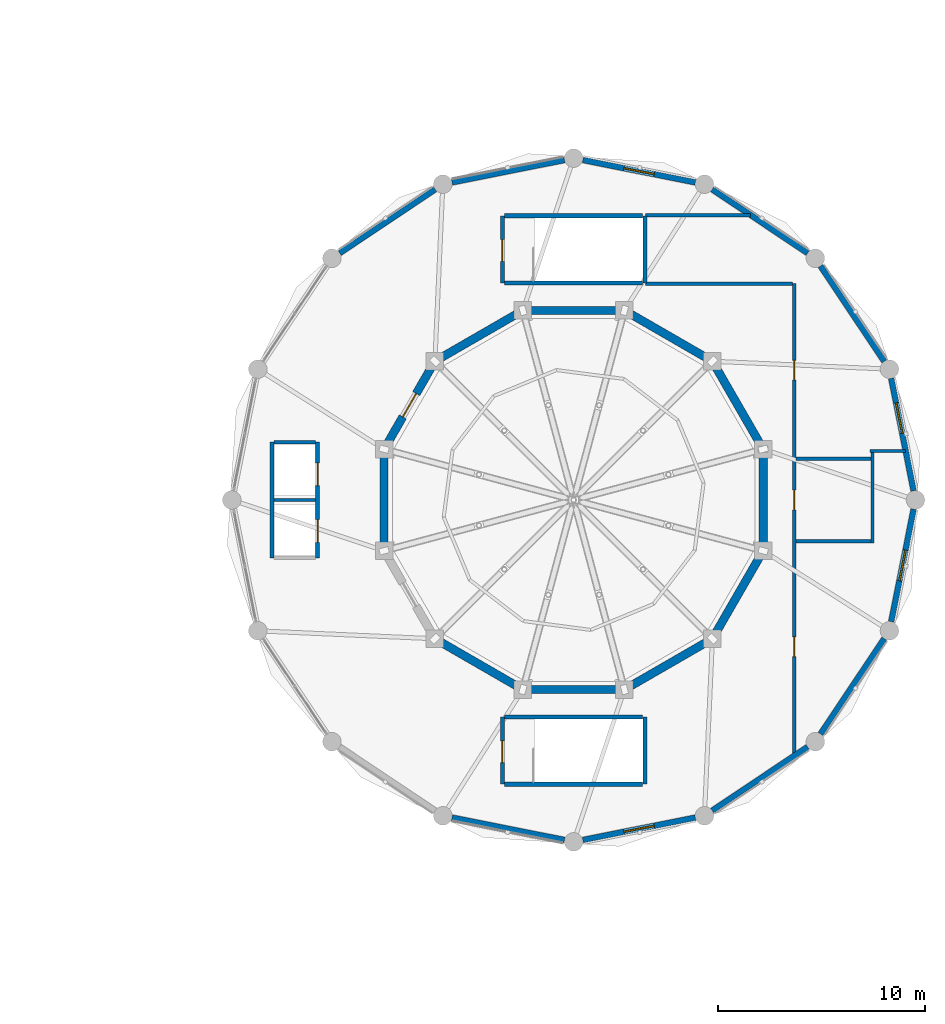
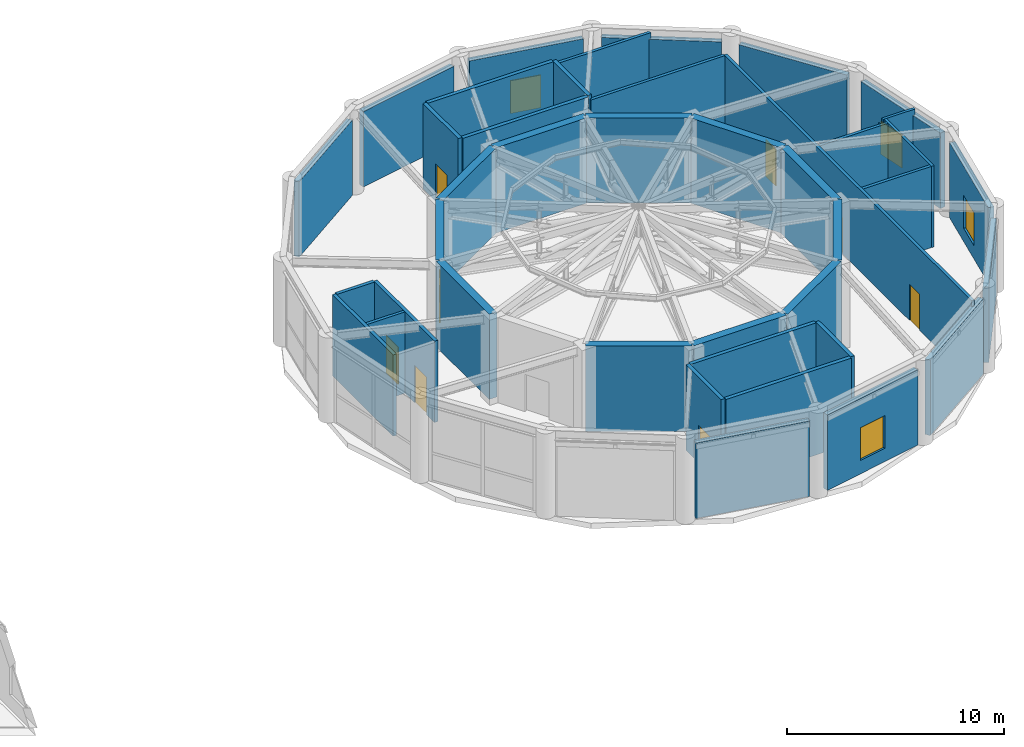
# One storey, part 18 of 26: 41 walls, 8 doors, 4 windows, 12 openings.
"""IFC4 building model written with IfcOpenShell, lengths in metres."""

from ifc_helpers import new_model, si_unit, derived_unit, direction, frame, frame_2d, origin, place, context, subcontext, project, spatial, rectangle, extrude, material, layer, layer_set, type_object, element, fill, save


model = new_model("IFC4")

# Units and contexts
model_context = context("Model", 3, precision=1e-05, world=origin(), true_north=direction((0.0, 1.0)))
body_context = subcontext(model_context, "Body", "Model", "MODEL_VIEW")
ifc_project = project(units=[si_unit("LENGTHUNIT", "METRE"), si_unit("AREAUNIT", "SQUARE_METRE"), si_unit("VOLUMEUNIT", "CUBIC_METRE"), si_unit("PLANEANGLEUNIT", "RADIAN"), si_unit("MASSUNIT", "GRAM", prefix="KILO"), derived_unit("THERMALTRANSMITTANCEUNIT", [(si_unit("POWERUNIT", "WATT"), 1), (si_unit("LENGTHUNIT", "METRE"), -2), (si_unit("THERMODYNAMICTEMPERATUREUNIT", "KELVIN"), -1)])], contexts=[model_context])

# Site, building, storey
site_placement = place(None, origin())
site = spatial("IfcSite", under=ifc_project, at=site_placement, CompositionType="ELEMENT")
building_placement = place(site_placement, origin())
building = spatial("IfcBuilding", under=site, at=building_placement, Name="Korsvarv Bourse and Concert Hall", CompositionType="ELEMENT")
storey_placement = place(building_placement, frame((0.0, 0.0, 19.199951171875)))
storey = spatial("IfcBuildingStorey", under=building, at=storey_placement, Name="L04", CompositionType="ELEMENT", Elevation=19.199951171875)

# Wall, opening, door
ifc_material_1 = material(Name="Concrete C50/60", Category="concrete")
ifc_layer_1 = layer(ifc_material_1, 0.3798828125)
ifc_layer_set_1 = layer_set([ifc_layer_1], Name="Concrete C50/60")
wall_type_1 = type_object("IfcWallType", Name="WL-CORE-380", PredefinedType="SHEAR", material=ifc_layer_set_1)
wall_1_placement = place(storey_placement, frame((103.35009765625, 46.5, 0.0), z_axis=(0.0, 0.0, 1.0), x_axis=(0.0, 1.0, 0.0)))
wall_1 = element("IfcWall", 1, at=wall_1_placement, inside=storey, type_object=wall_type_1, Name="L04 stair shaft structural wall W-L04-STCH1-W", PredefinedType="SHEAR", context=body_context, shape_type="SweptSolid", body=[
    extrude(rectangle(XDim=3.260009765625, YDim=0.199951171875, at=frame_2d((1.6298828125, 0.0))), origin(), (0.0, 0.0, 1.0), 4.800048828125),
])
opening_1_placement = place(wall_1_placement, frame((1.050048828125, 0.0, 0.0)))
opening_1 = element("IfcOpeningElement", 2, at=opening_1_placement, cuts=wall_1, Name="Opening D-01", PredefinedType="OPENING", context=body_context, shape_type="SweptSolid", body=[
    extrude(rectangle(XDim=1.050048828125, YDim=2.10009765625, at=frame_2d((0.52490234375, 1.050048828125))), frame((0.0, 0.10986328125, 0.0), z_axis=(0.0, -1.0, 0.0), x_axis=(1.0, 0.0, 0.0)), (0.0, 0.0, 1.0), 0.219970703125),
])
ifc_material_2 = material(Name="Steel S355 fire door", Category="steel")
door_type_1 = type_object("IfcDoorType", Name="DR-FD60", OperationType="NOTDEFINED", PredefinedType="DOOR", material=ifc_material_2)
door_1_placement = place(opening_1_placement, origin())
door_1 = element("IfcDoor", 3, at=door_1_placement, inside=storey, type_object=door_type_1, Name="L04 interior door DR-L04-STCH1", OperationType="SINGLE_SWING_RIGHT", OverallHeight=2.10009765625, OverallWidth=1.050048828125, PredefinedType="DOOR", context=body_context, shape_type="SweptSolid", body=[
    extrude(rectangle(XDim=1.050048828125, YDim=2.10009765625, at=frame_2d((0.52490234375, 1.050048828125))), frame((0.0, 0.02490234375, 0.0), z_axis=(0.0, -1.0, 0.0), x_axis=(1.0, 0.0, 0.0)), (0.0, 0.0, 1.0), 0.050048828125),
])
fill(opening_1, door_1)

# Walls
for number, where, z_axis, x_axis, name in (
    (4, (103.4599609375, 49.760009765625, 0.0), (0.0, 0.0, 1.0), (1.0, 0.0, 0.0), "L04 stair shaft structural wall W-L04-STCH1-N"),
    (5, (103.4599609375, 46.5, 0.0), (0.0, 0.0, 1.0), (1.0, 0.0, 0.0), "L04 stair shaft structural wall W-L04-STCH1-S"),
):
    element("IfcWall", number, at=place(storey_placement, frame(where, z_axis=z_axis, x_axis=x_axis)), inside=storey, type_object=wall_type_1, Name=name, PredefinedType="SHEAR", context=body_context, shape_type="SweptSolid", body=[
        extrude(rectangle(XDim=6.679931640625, YDim=0.199951171875, at=frame_2d((3.33984375, 0.0))), origin(), (0.0, 0.0, 1.0), 4.800048828125),
    ])
wall_2_placement = place(storey_placement, frame((110.25, 46.5, 0.0), z_axis=(0.0, 0.0, 1.0), x_axis=(0.0, 1.0, 0.0)))
element("IfcWall", 6, at=wall_2_placement, inside=storey, type_object=wall_type_1, Name="L04 stair shaft structural wall W-L04-STCH1-E", PredefinedType="SHEAR", context=body_context, shape_type="SweptSolid", body=[
    extrude(rectangle(XDim=3.260009765625, YDim=0.199951171875, at=frame_2d((1.6298828125, 0.0))), origin(), (0.0, 0.0, 1.0), 4.800048828125),
])

# Wall, opening, door
wall_3_placement = place(storey_placement, frame((103.35009765625, 22.239990234375, 0.0), z_axis=(0.0, 0.0, 1.0), x_axis=(0.0, 1.0, 0.0)))
wall_3 = element("IfcWall", 7, at=wall_3_placement, inside=storey, type_object=wall_type_1, Name="L04 stair shaft structural wall W-L04-STCH2-W", PredefinedType="SHEAR", context=body_context, shape_type="SweptSolid", body=[
    extrude(rectangle(XDim=3.260009765625, YDim=0.199951171875, at=frame_2d((1.6298828125, 0.0))), origin(), (0.0, 0.0, 1.0), 4.800048828125),
])
opening_2_placement = place(wall_3_placement, frame((1.050048828125, 0.0, 0.0)))
opening_2 = element("IfcOpeningElement", 8, at=opening_2_placement, cuts=wall_3, Name="Opening D-01", PredefinedType="OPENING", context=body_context, shape_type="SweptSolid", body=[
    extrude(rectangle(XDim=1.050048828125, YDim=2.10009765625, at=frame_2d((0.52490234375, 1.050048828125))), frame((0.0, 0.10986328125, 0.0), z_axis=(0.0, -1.0, 0.0), x_axis=(1.0, 0.0, 0.0)), (0.0, 0.0, 1.0), 0.219970703125),
])
door_2_placement = place(opening_2_placement, origin())
door_2 = element("IfcDoor", 9, at=door_2_placement, inside=storey, type_object=door_type_1, Name="L04 interior door DR-L04-STCH2", OperationType="SINGLE_SWING_LEFT", OverallHeight=2.10009765625, OverallWidth=1.050048828125, PredefinedType="DOOR", context=body_context, shape_type="SweptSolid", body=[
    extrude(rectangle(XDim=1.050048828125, YDim=2.10009765625, at=frame_2d((0.52490234375, 1.050048828125))), frame((0.0, 0.02490234375, 0.0), z_axis=(0.0, -1.0, 0.0), x_axis=(1.0, 0.0, 0.0)), (0.0, 0.0, 1.0), 0.050048828125),
])
fill(opening_2, door_2)

# Walls
for number, where, z_axis, x_axis, name in (
    (10, (103.4599609375, 25.5, 0.0), (0.0, 0.0, 1.0), (1.0, 0.0, 0.0), "L04 stair shaft structural wall W-L04-STCH2-N"),
    (11, (103.4599609375, 22.239990234375, 0.0), (0.0, 0.0, 1.0), (1.0, 0.0, 0.0), "L04 stair shaft structural wall W-L04-STCH2-S"),
):
    element("IfcWall", number, at=place(storey_placement, frame(where, z_axis=z_axis, x_axis=x_axis)), inside=storey, type_object=wall_type_1, Name=name, PredefinedType="SHEAR", context=body_context, shape_type="SweptSolid", body=[
        extrude(rectangle(XDim=6.679931640625, YDim=0.199951171875, at=frame_2d((3.33984375, 0.0))), origin(), (0.0, 0.0, 1.0), 4.800048828125),
    ])
wall_4_placement = place(storey_placement, frame((110.25, 22.239990234375, 0.0), z_axis=(0.0, 0.0, 1.0), x_axis=(0.0, 1.0, 0.0)))
element("IfcWall", 12, at=wall_4_placement, inside=storey, type_object=wall_type_1, Name="L04 stair shaft structural wall W-L04-STCH2-E", PredefinedType="SHEAR", context=body_context, shape_type="SweptSolid", body=[
    extrude(rectangle(XDim=3.260009765625, YDim=0.199951171875, at=frame_2d((1.6298828125, 0.0))), origin(), (0.0, 0.0, 1.0), 4.800048828125),
])
ifc_layer_2 = layer(ifc_material_1, 0.39990234375)
ifc_layer_set_2 = layer_set([ifc_layer_2], Name="Concrete C50/60")
wall_type_2 = type_object("IfcWallType", Name="WL-DRM-400", PredefinedType="SOLIDWALL", material=ifc_layer_set_2)
for number, where, z_axis, x_axis, name in (
    (13, (115.976318359375, 38.458740234375, 0.0), (0.0, 0.0, 1.0), (-0.499988900423, 0.866031812033, 0.0), "L04 Concert Hall Acoustic Bowl Wall 1"),
    (14, (113.517578125, 42.717529296875, 0.0), (0.0, 0.0, 1.0), (-0.866031812033, 0.499988900423, 0.0), "L04 Concert Hall Acoustic Bowl Wall 2"),
    (15, (109.2587890625, 45.17626953125, 0.0), (0.0, 0.0, 1.0), (-1.0, 0.0, 0.0), "L04 Concert Hall Acoustic Bowl Wall 3"),
    (16, (104.34130859375, 45.17626953125, 0.0), (0.0, 0.0, 1.0), (-0.866031812033, -0.499988900423, 0.0), "L04 Concert Hall Acoustic Bowl Wall 4"),
):
    element("IfcWall", number, at=place(storey_placement, frame(where, z_axis=z_axis, x_axis=x_axis)), inside=storey, type_object=wall_type_2, Name=name, PredefinedType="SOLIDWALL", context=body_context, shape_type="SweptSolid", body=[
        extrude(rectangle(XDim=4.91748046875, YDim=0.39990234375, at=frame_2d((2.458740234375, 0.0))), origin(), (0.0, 0.0, 1.0), 4.800048828125),
    ])

# Wall, opening, door
wall_5_placement = place(storey_placement, frame((100.08251953125, 42.717529296875, 0.0), z_axis=(0.0, 0.0, 1.0), x_axis=(-0.499988900423, -0.866031812033, 0.0)))
wall_5 = element("IfcWall", 17, at=wall_5_placement, inside=storey, type_object=wall_type_2, Name="L04 Concert Hall Acoustic Bowl Wall 5", PredefinedType="SOLIDWALL", context=body_context, shape_type="SweptSolid", body=[
    extrude(rectangle(XDim=4.91748046875, YDim=0.39990234375, at=frame_2d((2.458740234375, 0.0))), origin(), (0.0, 0.0, 1.0), 4.800048828125),
])
opening_3_placement = place(wall_5_placement, frame((1.808837890625, 0.0, 0.0)))
opening_3 = element("IfcOpeningElement", 18, at=opening_3_placement, cuts=wall_5, Name="Opening D-04", PredefinedType="OPENING", context=body_context, shape_type="SweptSolid", body=[
    extrude(rectangle(XDim=1.300048828125, YDim=2.10009765625, at=frame_2d((0.64990234375, 1.050048828125))), frame((0.0, 0.2099609375, 0.0), z_axis=(0.0, -1.0, 0.0), x_axis=(1.0, 0.0, 0.0)), (0.0, 0.0, 1.0), 0.419921875),
])
ifc_material_3 = material(Name="Glazed aluminium double corridor door", Category="aluminium")
door_type_2 = type_object("IfcDoorType", Name="DR-INT-2", OperationType="DOUBLE_DOOR_SINGLE_SWING", PredefinedType="DOOR", material=ifc_material_3)
door_3_placement = place(opening_3_placement, frame((1.300048828125, 0.0, 0.0), z_axis=(0.0, 0.0, 1.0), x_axis=(-1.0, 0.0, 0.0)))
door_3 = element("IfcDoor", 19, at=door_3_placement, inside=storey, type_object=door_type_2, Name="L04 Symphony Auditorium acoustic door DR-L04-CHB1", OperationType="SINGLE_SWING_LEFT", OverallHeight=2.10009765625, OverallWidth=1.300048828125, PredefinedType="DOOR", context=body_context, shape_type="SweptSolid", body=[
    extrude(rectangle(XDim=1.300048828125, YDim=2.10009765625, at=frame_2d((0.64990234375, 1.050048828125))), frame((0.0, 0.02490234375, 0.0), z_axis=(0.0, -1.0, 0.0), x_axis=(1.0, 0.0, 0.0)), (0.0, 0.0, 1.0), 0.050048828125),
])
fill(opening_3, door_3)

# Walls
for number, where, z_axis, x_axis, name in (
    (20, (97.623779296875, 38.458740234375, 0.0), (0.0, 0.0, 1.0), (0.0, -1.0, 0.0), "L04 Concert Hall Acoustic Bowl Wall 6"),
    (21, (100.08251953125, 29.282470703125, 0.0), (0.0, 0.0, 1.0), (0.866031812033, -0.499988900423, 0.0), "L04 Concert Hall Acoustic Bowl Wall 8"),
    (22, (104.34130859375, 26.82373046875, 0.0), (0.0, 0.0, 1.0), (1.0, 0.0, 0.0), "L04 Concert Hall Acoustic Bowl Wall 9"),
    (23, (109.2587890625, 26.82373046875, 0.0), (0.0, 0.0, 1.0), (0.866031812033, 0.499988900423, 0.0), "L04 Concert Hall Acoustic Bowl Wall 10"),
    (24, (113.517578125, 29.282470703125, 0.0), (0.0, 0.0, 1.0), (0.499988900423, 0.866031812033, 0.0), "L04 Concert Hall Acoustic Bowl Wall 11"),
    (25, (115.976318359375, 33.541259765625, 0.0), (0.0, 0.0, 1.0), (0.0, 1.0, 0.0), "L04 Concert Hall Acoustic Bowl Wall 12"),
):
    element("IfcWall", number, at=place(storey_placement, frame(where, z_axis=z_axis, x_axis=x_axis)), inside=storey, type_object=wall_type_2, Name=name, PredefinedType="SOLIDWALL", context=body_context, shape_type="SweptSolid", body=[
        extrude(rectangle(XDim=4.91748046875, YDim=0.39990234375, at=frame_2d((2.458740234375, 0.0))), origin(), (0.0, 0.0, 1.0), 4.800048828125),
    ])

# Wall, opening, window
ifc_material_4 = material(Name="Precast concrete C45/55 with fluted terracotta pier", Category="concrete")
ifc_layer_3 = layer(ifc_material_4, 0.280029296875)
ifc_layer_set_3 = layer_set([ifc_layer_3], Name="Precast concrete C45/55 with fluted terracotta pier")
wall_type_3 = type_object("IfcWallType", Name="WL-EXT-TC2", PredefinedType="SOLIDWALL", material=ifc_layer_set_3)
wall_6_placement = place(storey_placement, frame((123.26123046875, 36.4462890625, 0.0), z_axis=(0.0, 0.0, 1.0), x_axis=(-0.195091972221, 0.980784952156, 0.0)))
wall_6 = element("IfcWall", 26, at=wall_6_placement, inside=storey, type_object=wall_type_3, Name="L04 terracotta exterior wall EW-L04-CHD01", PredefinedType="SOLIDWALL", context=body_context, shape_type="SweptSolid", body=[
    extrude(rectangle(XDim=5.547607421875, YDim=0.280029296875, at=frame_2d((2.77392578125, 0.0))), origin(), (0.0, 0.0, 1.0), 4.25),
])
opening_4_placement = place(wall_6_placement, frame((2.83544921875, 0.0, 0.75)))
opening_4 = element("IfcOpeningElement", 27, at=opening_4_placement, cuts=wall_6, Name="Opening W-04", PredefinedType="OPENING", context=body_context, shape_type="SweptSolid", body=[
    extrude(rectangle(XDim=1.5, YDim=1.85009765625, at=frame_2d((0.75, 0.925048828125))), frame((0.0, 0.14990234375, 0.0), z_axis=(0.0, -1.0, 0.0), x_axis=(1.0, 0.0, 0.0)), (0.0, 0.0, 1.0), 0.300048828125),
])
ifc_material_5 = material(Name="Thermally broken aluminium frame with triple low-E glass", Category="glass")
window_type = type_object("IfcWindowType", Name="WIN-POD2", PartitioningType="SINGLE_PANEL", PredefinedType="WINDOW", material=ifc_material_5)
window_1_placement = place(opening_4_placement, origin())
window_1 = element("IfcWindow", 28, at=window_1_placement, inside=storey, type_object=window_type, Name="L04 punched facade window W-04", OverallHeight=1.85009765625, OverallWidth=1.5, PartitioningType="SINGLE_PANEL", PredefinedType="WINDOW", context=body_context, shape_type="SweptSolid", body=[
    extrude(rectangle(XDim=1.5, YDim=1.85009765625, at=frame_2d((0.75, 0.925048828125))), frame((0.0, 0.030029296875, 0.0), z_axis=(0.0, -1.0, 0.0), x_axis=(1.0, 0.0, 0.0)), (0.0, 0.0, 1.0), 0.06005859375),
])
fill(opening_4, window_1)

# Walls
for number, where, z_axis, x_axis, name in (
    (29, (121.83740234375, 42.711669921875, 0.0), (0.0, 0.0, 1.0), (-0.555573305798, 0.831467559129, 0.0), "L04 terracotta exterior wall EW-L04-CHD02"),
    (30, (118.124267578125, 47.955322265625, 0.0), (0.0, 0.0, 1.0), (-0.831467559129, 0.555573305798, 0.0), "L04 terracotta exterior wall EW-L04-CHD03"),
):
    element("IfcWall", number, at=place(storey_placement, frame(where, z_axis=z_axis, x_axis=x_axis)), inside=storey, type_object=wall_type_3, Name=name, PredefinedType="SOLIDWALL", context=body_context, shape_type="SweptSolid", body=[
        extrude(rectangle(XDim=5.54736328125, YDim=0.280029296875, at=frame_2d((2.773681640625, 0.0))), origin(), (0.0, 0.0, 1.0), 4.25),
    ])

# Wall, opening, window
wall_7_placement = place(storey_placement, frame((112.68701171875, 51.37890625, 0.0), z_axis=(0.0, 0.0, 1.0), x_axis=(-0.980783277025, 0.195100393406, 0.0)))
wall_7 = element("IfcWall", 31, at=wall_7_placement, inside=storey, type_object=wall_type_3, Name="L04 terracotta exterior wall EW-L04-CHD04", PredefinedType="SOLIDWALL", context=body_context, shape_type="SweptSolid", body=[
    extrude(rectangle(XDim=5.54736328125, YDim=0.280029296875, at=frame_2d((2.773681640625, 0.0))), origin(), (0.0, 0.0, 1.0), 4.25),
])
opening_5_placement = place(wall_7_placement, frame((2.023681640625, 0.0, 0.75)))
opening_5 = element("IfcOpeningElement", 32, at=opening_5_placement, cuts=wall_7, Name="Opening W-04", PredefinedType="OPENING", context=body_context, shape_type="SweptSolid", body=[
    extrude(rectangle(XDim=1.5, YDim=1.85009765625, at=frame_2d((0.75, 0.925048828125))), frame((0.0, 0.14990234375, 0.0), z_axis=(0.0, -1.0, 0.0), x_axis=(1.0, 0.0, 0.0)), (0.0, 0.0, 1.0), 0.300048828125),
])
window_2_placement = place(opening_5_placement, origin())
window_2 = element("IfcWindow", 33, at=window_2_placement, inside=storey, type_object=window_type, Name="L04 punched facade window W-04", OverallHeight=1.85009765625, OverallWidth=1.5, PartitioningType="SINGLE_PANEL", PredefinedType="WINDOW", context=body_context, shape_type="SweptSolid", body=[
    extrude(rectangle(XDim=1.5, YDim=1.85009765625, at=frame_2d((0.75, 0.925048828125))), frame((0.0, 0.030029296875, 0.0), z_axis=(0.0, -1.0, 0.0), x_axis=(1.0, 0.0, 0.0)), (0.0, 0.0, 1.0), 0.06005859375),
])
fill(opening_5, window_2)

# Walls
for number, where, z_axis, x_axis, name in (
    (34, (106.353759765625, 52.461181640625, 0.0), (0.0, 0.0, 1.0), (-0.980784952156, -0.195091972221, 0.0), "L04 terracotta exterior wall EW-L04-CHD05"),
    (35, (100.08837890625, 51.037353515625, 0.0), (0.0, 0.0, 1.0), (-0.831481142367, -0.555552976672, 0.0), "L04 terracotta exterior wall EW-L04-CHD06"),
    (36, (100.912841796875, 20.62109375, 0.0), (0.0, 0.0, 1.0), (0.980784952156, -0.195091972221, 0.0), "L04 terracotta exterior wall EW-L04-CHD12"),
):
    element("IfcWall", number, at=place(storey_placement, frame(where, z_axis=z_axis, x_axis=x_axis)), inside=storey, type_object=wall_type_3, Name=name, PredefinedType="SOLIDWALL", context=body_context, shape_type="SweptSolid", body=[
        extrude(rectangle(XDim=5.547607421875, YDim=0.280029296875, at=frame_2d((2.77392578125, 0.0))), origin(), (0.0, 0.0, 1.0), 4.25),
    ])

# Wall, opening, window
wall_8_placement = place(storey_placement, frame((107.246337890625, 19.538818359375, 0.0), z_axis=(0.0, 0.0, 1.0), x_axis=(0.980783277025, 0.195100393406, 0.0)))
wall_8 = element("IfcWall", 37, at=wall_8_placement, inside=storey, type_object=wall_type_3, Name="L04 terracotta exterior wall EW-L04-CHD13", PredefinedType="SOLIDWALL", context=body_context, shape_type="SweptSolid", body=[
    extrude(rectangle(XDim=5.54736328125, YDim=0.280029296875, at=frame_2d((2.773681640625, 0.0))), origin(), (0.0, 0.0, 1.0), 4.25),
])
opening_6_placement = place(wall_8_placement, frame((2.023681640625, 0.0, 0.75)))
opening_6 = element("IfcOpeningElement", 38, at=opening_6_placement, cuts=wall_8, Name="Opening W-04", PredefinedType="OPENING", context=body_context, shape_type="SweptSolid", body=[
    extrude(rectangle(XDim=1.5, YDim=1.85009765625, at=frame_2d((0.75, 0.925048828125))), frame((0.0, 0.14990234375, 0.0), z_axis=(0.0, -1.0, 0.0), x_axis=(1.0, 0.0, 0.0)), (0.0, 0.0, 1.0), 0.300048828125),
])
window_3_placement = place(opening_6_placement, origin())
window_3 = element("IfcWindow", 39, at=window_3_placement, inside=storey, type_object=window_type, Name="L04 punched facade window W-04", OverallHeight=1.85009765625, OverallWidth=1.5, PartitioningType="SINGLE_PANEL", PredefinedType="WINDOW", context=body_context, shape_type="SweptSolid", body=[
    extrude(rectangle(XDim=1.5, YDim=1.85009765625, at=frame_2d((0.75, 0.925048828125))), frame((0.0, 0.030029296875, 0.0), z_axis=(0.0, -1.0, 0.0), x_axis=(1.0, 0.0, 0.0)), (0.0, 0.0, 1.0), 0.06005859375),
])
fill(opening_6, window_3)

# Walls
for number, where, z_axis, x_axis, name in (
    (40, (113.51171875, 20.962646484375, 0.0), (0.0, 0.0, 1.0), (0.831467559129, 0.555573305798, 0.0), "L04 terracotta exterior wall EW-L04-CHD14"),
    (41, (118.75537109375, 24.67578125, 0.0), (0.0, 0.0, 1.0), (0.555573305798, 0.831467559129, 0.0), "L04 terracotta exterior wall EW-L04-CHD15"),
):
    element("IfcWall", number, at=place(storey_placement, frame(where, z_axis=z_axis, x_axis=x_axis)), inside=storey, type_object=wall_type_3, Name=name, PredefinedType="SOLIDWALL", context=body_context, shape_type="SweptSolid", body=[
        extrude(rectangle(XDim=5.54736328125, YDim=0.280029296875, at=frame_2d((2.773681640625, 0.0))), origin(), (0.0, 0.0, 1.0), 4.25),
    ])

# Wall, opening, window
wall_9_placement = place(storey_placement, frame((122.178955078125, 30.11279296875, 0.0), z_axis=(0.0, 0.0, 1.0), x_axis=(0.195091972221, 0.980784952156, 0.0)))
wall_9 = element("IfcWall", 42, at=wall_9_placement, inside=storey, type_object=wall_type_3, Name="L04 terracotta exterior wall EW-L04-CHD16", PredefinedType="SOLIDWALL", context=body_context, shape_type="SweptSolid", body=[
    extrude(rectangle(XDim=5.547607421875, YDim=0.280029296875, at=frame_2d((2.77392578125, 0.0))), origin(), (0.0, 0.0, 1.0), 4.25),
])
opening_7_placement = place(wall_9_placement, frame((2.023681640625, 0.0, 0.75)))
opening_7 = element("IfcOpeningElement", 43, at=opening_7_placement, cuts=wall_9, Name="Opening W-04", PredefinedType="OPENING", context=body_context, shape_type="SweptSolid", body=[
    extrude(rectangle(XDim=1.5, YDim=1.85009765625, at=frame_2d((0.75, 0.925048828125))), frame((0.0, 0.14990234375, 0.0), z_axis=(0.0, -1.0, 0.0), x_axis=(1.0, 0.0, 0.0)), (0.0, 0.0, 1.0), 0.300048828125),
])
window_4_placement = place(opening_7_placement, origin())
window_4 = element("IfcWindow", 44, at=window_4_placement, inside=storey, type_object=window_type, Name="L04 punched facade window W-04", OverallHeight=1.85009765625, OverallWidth=1.5, PartitioningType="SINGLE_PANEL", PredefinedType="WINDOW", context=body_context, shape_type="SweptSolid", body=[
    extrude(rectangle(XDim=1.5, YDim=1.85009765625, at=frame_2d((0.75, 0.925048828125))), frame((0.0, 0.030029296875, 0.0), z_axis=(0.0, -1.0, 0.0), x_axis=(1.0, 0.0, 0.0)), (0.0, 0.0, 1.0), 0.06005859375),
])
fill(opening_7, window_4)

# Wall, openings, doors
ifc_material_6 = material(Name="Double-stud fire-rated acoustic partition", Category="gypsum")
ifc_layer_4 = layer(ifc_material_6, 0.159912109375)
ifc_layer_set_4 = layer_set([ifc_layer_4], Name="Double-stud fire-rated acoustic partition")
wall_type_4 = type_object("IfcWallType", Name="WL-INT-EI60", PredefinedType="PARTITIONING", material=ifc_layer_set_4)
wall_10_placement = place(storey_placement, frame((117.47509765625, 23.630859375, 0.0), z_axis=(0.0, 0.0, 1.0), x_axis=(0.0, 1.0, 0.0)))
wall_10 = element("IfcWall", 45, at=wall_10_placement, inside=storey, type_object=wall_type_4, Name="L04 interior partition wall W-L04-CHFOY-01", PredefinedType="PARTITIONING", context=body_context, shape_type="SweptSolid", body=[
    extrude(rectangle(XDim=22.84912109375, YDim=0.159912109375, at=frame_2d((11.424560546875, 0.0))), origin(), (0.0, 0.0, 1.0), 4.580078125),
])
opening_8_placement = place(wall_10_placement, frame((11.894287109375, 0.0, 0.0)))
opening_8 = element("IfcOpeningElement", 46, at=opening_8_placement, cuts=wall_10, Name="Opening D-02", PredefinedType="OPENING", context=body_context, shape_type="SweptSolid", body=[
    extrude(rectangle(XDim=0.949951171875, YDim=2.050048828125, at=frame_2d((0.47509765625, 1.02490234375))), frame((0.0, 0.08984375, 0.0), z_axis=(0.0, -1.0, 0.0), x_axis=(1.0, 0.0, 0.0)), (0.0, 0.0, 1.0), 0.179931640625),
])
opening_9_placement = place(wall_10_placement, frame((4.791259765625, 0.0, 0.0)))
opening_9 = element("IfcOpeningElement", 47, at=opening_9_placement, cuts=wall_10, Name="Opening D-02", PredefinedType="OPENING", context=body_context, shape_type="SweptSolid", body=[
    extrude(rectangle(XDim=0.949951171875, YDim=2.050048828125, at=frame_2d((0.47509765625, 1.02490234375))), frame((0.0, 0.08984375, 0.0), z_axis=(0.0, -1.0, 0.0), x_axis=(1.0, 0.0, 0.0)), (0.0, 0.0, 1.0), 0.179931640625),
])
opening_10_placement = place(wall_10_placement, frame((18.17919921875, 0.0, 0.0)))
opening_10 = element("IfcOpeningElement", 48, at=opening_10_placement, cuts=wall_10, Name="Opening D-02", PredefinedType="OPENING", context=body_context, shape_type="SweptSolid", body=[
    extrude(rectangle(XDim=0.949951171875, YDim=2.050048828125, at=frame_2d((0.47509765625, 1.02490234375))), frame((0.0, 0.08984375, 0.0), z_axis=(0.0, -1.0, 0.0), x_axis=(1.0, 0.0, 0.0)), (0.0, 0.0, 1.0), 0.179931640625),
])
ifc_material_7 = material(Name="Timber and steel acoustic fire door", Category="wood")
door_type_3 = type_object("IfcDoorType", Name="DR-FD30", OperationType="NOTDEFINED", PredefinedType="DOOR", material=ifc_material_7)
door_4_placement = place(opening_8_placement, origin())
door_4 = element("IfcDoor", 49, at=door_4_placement, inside=storey, type_object=door_type_3, Name="L04 interior door DR-L04-CHFOY-RWC", OperationType="SINGLE_SWING_RIGHT", OverallHeight=2.050048828125, OverallWidth=0.949951171875, PredefinedType="DOOR", context=body_context, shape_type="SweptSolid", body=[
    extrude(rectangle(XDim=0.949951171875, YDim=2.050048828125, at=frame_2d((0.47509765625, 1.02490234375))), frame((0.0, 0.02490234375, 0.0), z_axis=(0.0, -1.0, 0.0), x_axis=(1.0, 0.0, 0.0)), (0.0, 0.0, 1.0), 0.050048828125),
])
fill(opening_8, door_4)
door_5_placement = place(opening_9_placement, origin())
door_5 = element("IfcDoor", 50, at=door_5_placement, inside=storey, type_object=door_type_3, Name="L04 interior door DR-L04-CHFOY-CHWC1", OperationType="SINGLE_SWING_LEFT", OverallHeight=2.050048828125, OverallWidth=0.949951171875, PredefinedType="DOOR", context=body_context, shape_type="SweptSolid", body=[
    extrude(rectangle(XDim=0.949951171875, YDim=2.050048828125, at=frame_2d((0.47509765625, 1.02490234375))), frame((0.0, 0.02490234375, 0.0), z_axis=(0.0, -1.0, 0.0), x_axis=(1.0, 0.0, 0.0)), (0.0, 0.0, 1.0), 0.050048828125),
])
fill(opening_9, door_5)
door_6_placement = place(opening_10_placement, origin())
door_6 = element("IfcDoor", 51, at=door_6_placement, inside=storey, type_object=door_type_3, Name="L04 interior door DR-L04-CHFOY-CHSUP2", OperationType="SINGLE_SWING_RIGHT", OverallHeight=2.050048828125, OverallWidth=0.949951171875, PredefinedType="DOOR", context=body_context, shape_type="SweptSolid", body=[
    extrude(rectangle(XDim=0.949951171875, YDim=2.050048828125, at=frame_2d((0.47509765625, 1.02490234375))), frame((0.0, 0.02490234375, 0.0), z_axis=(0.0, -1.0, 0.0), x_axis=(1.0, 0.0, 0.0)), (0.0, 0.0, 1.0), 0.050048828125),
])
fill(opening_10, door_6)

# Walls
wall_11_placement = place(storey_placement, frame((110.27001953125, 46.47509765625, 0.0), z_axis=(0.0, 0.0, 1.0), x_axis=(1.0, 0.0, 0.0)))
element("IfcWall", 52, at=wall_11_placement, inside=storey, type_object=wall_type_4, Name="L04 interior partition wall W-L04-CHFOY-02", PredefinedType="PARTITIONING", context=body_context, shape_type="SweptSolid", body=[
    extrude(rectangle(XDim=7.123046875, YDim=0.159912109375, at=frame_2d((3.5615234375, 0.0))), origin(), (0.0, 0.0, 1.0), 4.580078125),
])
wall_12_placement = place(storey_placement, frame((110.27001953125, 49.784912109375, 0.0), z_axis=(0.0, 0.0, 1.0), x_axis=(1.0, 0.0, 0.0)))
element("IfcWall", 53, at=wall_12_placement, inside=storey, type_object=wall_type_4, Name="L04 interior partition wall W-L04-CHFOY-03", PredefinedType="PARTITIONING", context=body_context, shape_type="SweptSolid", body=[
    extrude(rectangle(XDim=5.09619140625, YDim=0.159912109375, at=frame_2d((2.548095703125, 0.0))), origin(), (0.0, 0.0, 1.0), 4.580078125),
])
for number, where, z_axis, x_axis, name in (
    (54, (117.556884765625, 38.0, 0.0), (0.0, 0.0, 1.0), (1.0, 0.0, 0.0), "L04 interior partition wall W-L04-CHFOY-04"),
    (55, (117.556884765625, 34.0, 0.0), (0.0, 0.0, 1.0), (1.0, 0.0, 0.0), "L04 interior partition wall W-L04-CHFOY-05"),
):
    element("IfcWall", number, at=place(storey_placement, frame(where, z_axis=z_axis, x_axis=x_axis)), inside=storey, type_object=wall_type_4, Name=name, PredefinedType="PARTITIONING", context=body_context, shape_type="SweptSolid", body=[
        extrude(rectangle(XDim=3.64599609375, YDim=0.159912109375, at=frame_2d((1.822998046875, 0.0))), origin(), (0.0, 0.0, 1.0), 4.580078125),
    ])

# Wall, openings, doors
ifc_material_8 = material(Name="Gypsum-clad autoclaved concrete shaft wall C30/37", Category="concrete")
ifc_layer_5 = layer(ifc_material_8, 0.179931640625)
ifc_layer_set_5 = layer_set([ifc_layer_5], Name="Gypsum-clad autoclaved concrete shaft wall C30/37")
wall_type_5 = type_object("IfcWallType", Name="WL-INT-EI90", PredefinedType="PARTITIONING", material=ifc_layer_set_5)
wall_13_placement = place(storey_placement, frame((94.39990234375, 33.199951171875, 0.0), z_axis=(0.0, 0.0, 1.0), x_axis=(0.0, 1.0, 0.0)))
wall_13 = element("IfcWall", 56, at=wall_13_placement, inside=storey, type_object=wall_type_5, Name="L04 interior partition wall W-L04-CHLF-E", PredefinedType="PARTITIONING", context=body_context, shape_type="SweptSolid", body=[
    extrude(rectangle(XDim=5.60009765625, YDim=0.179931640625, at=frame_2d((2.800048828125, 0.0))), origin(), (0.0, 0.0, 1.0), 4.580078125),
])
opening_11_placement = place(wall_13_placement, frame((3.5, 0.0, 0.0)))
opening_11 = element("IfcOpeningElement", 57, at=opening_11_placement, cuts=wall_13, Name="Opening LD-2", PredefinedType="OPENING", context=body_context, shape_type="SweptSolid", body=[
    extrude(rectangle(XDim=1.10009765625, YDim=2.10009765625, at=frame_2d((0.550048828125, 1.050048828125))), frame((0.0, 0.10009765625, 0.0), z_axis=(0.0, -1.0, 0.0), x_axis=(1.0, 0.0, 0.0)), (0.0, 0.0, 1.0), 0.199951171875),
])
opening_12_placement = place(wall_13_placement, frame((0.75, 0.0, 0.0)))
opening_12 = element("IfcOpeningElement", 58, at=opening_12_placement, cuts=wall_13, Name="Opening LD-2", PredefinedType="OPENING", context=body_context, shape_type="SweptSolid", body=[
    extrude(rectangle(XDim=1.10009765625, YDim=2.10009765625, at=frame_2d((0.550048828125, 1.050048828125))), frame((0.0, 0.10009765625, 0.0), z_axis=(0.0, -1.0, 0.0), x_axis=(1.0, 0.0, 0.0)), (0.0, 0.0, 1.0), 0.199951171875),
])
ifc_material_9 = material(Name="Brushed stainless Steel S355 lift landing door", Category="steel")
door_type_4 = type_object("IfcDoorType", Name="DR-LIFT-P", OperationType="DOUBLE_DOOR_SLIDING", PredefinedType="DOOR", material=ifc_material_9)
door_7_placement = place(opening_11_placement, origin())
door_7 = element("IfcDoor", 59, at=door_7_placement, inside=storey, type_object=door_type_4, Name="L04 lift sliding landing door LD-L04-CHL1", OperationType="DOUBLE_DOOR_SLIDING", OverallHeight=2.10009765625, OverallWidth=1.10009765625, PredefinedType="DOOR", context=body_context, shape_type="SweptSolid", body=[
    extrude(rectangle(XDim=1.10009765625, YDim=2.10009765625, at=frame_2d((0.550048828125, 1.050048828125))), frame((0.0, 0.02490234375, 0.0), z_axis=(0.0, -1.0, 0.0), x_axis=(1.0, 0.0, 0.0)), (0.0, 0.0, 1.0), 0.050048828125),
])
fill(opening_11, door_7)
door_8_placement = place(opening_12_placement, origin())
door_8 = element("IfcDoor", 60, at=door_8_placement, inside=storey, type_object=door_type_4, Name="L04 lift sliding landing door LD-L04-CHL2", OperationType="DOUBLE_DOOR_SLIDING", OverallHeight=2.10009765625, OverallWidth=1.10009765625, PredefinedType="DOOR", context=body_context, shape_type="SweptSolid", body=[
    extrude(rectangle(XDim=1.10009765625, YDim=2.10009765625, at=frame_2d((0.550048828125, 1.050048828125))), frame((0.0, 0.02490234375, 0.0), z_axis=(0.0, -1.0, 0.0), x_axis=(1.0, 0.0, 0.0)), (0.0, 0.0, 1.0), 0.050048828125),
])
fill(opening_12, door_8)

# Walls
wall_14_placement = place(storey_placement, frame((92.199951171875, 33.199951171875, 0.0), z_axis=(0.0, 0.0, 1.0), x_axis=(0.0, 1.0, 0.0)))
element("IfcWall", 61, at=wall_14_placement, inside=storey, type_object=wall_type_5, Name="L04 interior partition wall W-L04-CHLF-W", PredefinedType="PARTITIONING", context=body_context, shape_type="SweptSolid", body=[
    extrude(rectangle(XDim=5.60009765625, YDim=0.179931640625, at=frame_2d((2.800048828125, 0.0))), origin(), (0.0, 0.0, 1.0), 4.580078125),
])
wall_15_placement = place(storey_placement, frame((92.300048828125, 38.800048828125, 0.0), z_axis=(0.0, 0.0, 1.0), x_axis=(1.0, 0.0, 0.0)))
element("IfcWall", 62, at=wall_15_placement, inside=storey, type_object=wall_type_5, Name="L04 interior partition wall W-L04-CHLF-N", PredefinedType="PARTITIONING", context=body_context, shape_type="SweptSolid", body=[
    extrude(rectangle(XDim=2.0, YDim=0.179931640625, at=frame_2d((1.0, 0.0))), origin(), (0.0, 0.0, 1.0), 4.580078125),
])
wall_16_placement = place(storey_placement, frame((92.300048828125, 36.0, 0.0), z_axis=(0.0, 0.0, 1.0), x_axis=(1.0, 0.0, 0.0)))
element("IfcWall", 63, at=wall_16_placement, inside=storey, type_object=wall_type_5, Name="L04 interior partition wall W-L04-CHLF-M", PredefinedType="PARTITIONING", context=body_context, shape_type="SweptSolid", body=[
    extrude(rectangle(XDim=2.0, YDim=0.159912109375, at=frame_2d((1.0, 0.0))), origin(), (0.0, 0.0, 1.0), 4.580078125),
])
ifc_material_10 = material(Name="Insulated steel-stud office acoustic partition", Category="gypsum")
ifc_layer_6 = layer(ifc_material_10, 0.139892578125)
ifc_layer_set_6 = layer_set([ifc_layer_6], Name="Insulated steel-stud office acoustic partition")
wall_type_6 = type_object("IfcWallType", Name="WL-INT-P1", PredefinedType="PARTITIONING", material=ifc_layer_set_6)
wall_17_placement = place(storey_placement, frame((121.27490234375, 33.919921875, 0.0), z_axis=(0.0, 0.0, 1.0), x_axis=(0.0, 1.0, 0.0)))
element("IfcWall", 64, at=wall_17_placement, inside=storey, type_object=wall_type_6, Name="L04 interior partition wall W-L04-CHFOY-06", PredefinedType="PARTITIONING", context=body_context, shape_type="SweptSolid", body=[
    extrude(rectangle(XDim=4.372314453125, YDim=0.139892578125, at=frame_2d((2.18603515625, 0.0))), origin(), (0.0, 0.0, 1.0), 4.580078125),
])
wall_18_placement = place(storey_placement, frame((121.15625, 38.3642578125, 0.0), z_axis=(0.0, 0.0, 1.0), x_axis=(0.999999907557, 0.000429984194, 0.0)))
element("IfcWall", 65, at=wall_18_placement, inside=storey, type_object=wall_type_6, Name="L04 interior partition wall W-L04-CHFOY-07", PredefinedType="PARTITIONING", context=body_context, shape_type="SweptSolid", body=[
    extrude(rectangle(XDim=1.703369140625, YDim=0.139892578125, at=frame_2d((0.8515625, 0.0))), origin(), (0.0, 0.0, 1.0), 4.580078125),
])

save(model, "model.ifc")
